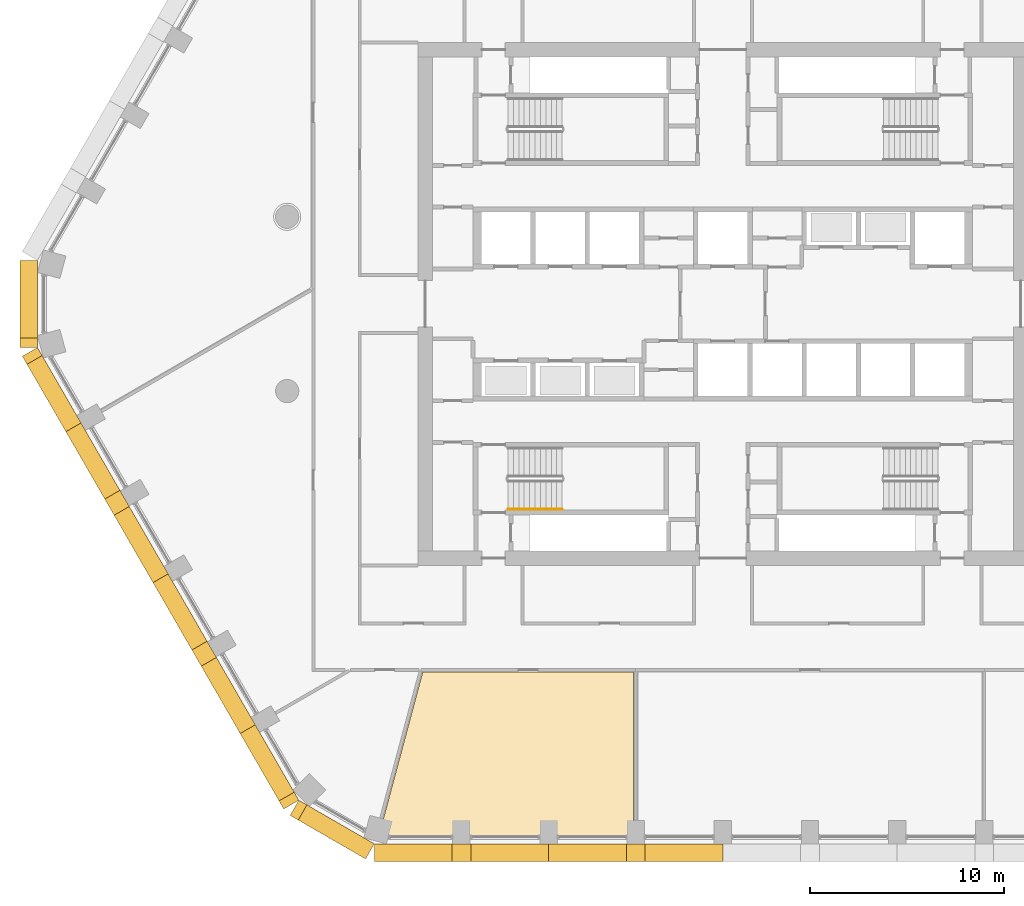
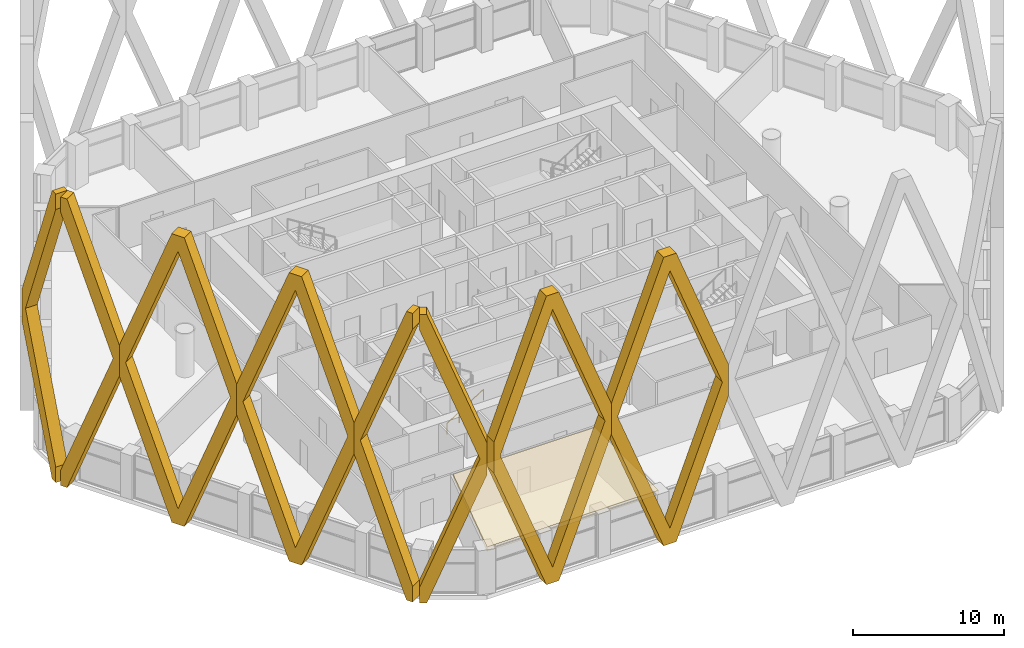
# One storey, part 15 of 24: 9 coverings, 1 railing.
"""IFC4 building model written with IfcOpenShell, lengths in metres."""

from ifc_helpers import new_model, si_unit, direction, frame, origin, origin_2d, place, context, subcontext, project, spatial, polyline, circle, outline, extrude, material, layer, layer_set, type_object, element, save


model = new_model("IFC4")

# Units and contexts
model_context = context("Model", 3, precision=1e-05, world=origin(), true_north=direction((0.0, 1.0)))
body_context = subcontext(model_context, "Body", "Model", "MODEL_VIEW")
ifc_project = project(units=[si_unit("LENGTHUNIT", "METRE"), si_unit("AREAUNIT", "SQUARE_METRE"), si_unit("VOLUMEUNIT", "CUBIC_METRE"), si_unit("PLANEANGLEUNIT", "RADIAN"), si_unit("MASSUNIT", "GRAM", prefix="KILO")], contexts=[model_context])

# Site, building, storey
site_placement = place(None, origin())
site = spatial("IfcSite", under=ifc_project, at=site_placement, CompositionType="ELEMENT")
building_placement = place(site_placement, origin())
building = spatial("IfcBuilding", under=site, at=building_placement, Name="Dhurran Vertical Campus", CompositionType="ELEMENT")
storey_placement = place(building_placement, frame((0.0, 0.0, 132.60009765625)))
storey = spatial("IfcBuildingStorey", under=building, at=storey_placement, Name="L32", CompositionType="ELEMENT", Elevation=132.60009765625)

# Coverings
ifc_material_1 = material(Name="Precast concrete C50/60", Category="concrete")
covering_type_1 = type_object("IfcCoveringType", Name="Folded precast fin lattice diamond", PredefinedType="USERDEFINED", material=ifc_material_1)
for number, where, z_axis, x_axis, name in (
    (1, (-18.0, -27.8828125, 0.0), (0.0, -1.0, 0.0), (1.0, 0.0, 0.0), "FN1 L32.001"),
    (2, (-9.0, -27.8828125, 0.0), (0.0, -1.0, 0.0), (1.0, 0.0, 0.0), "FN1 L32.002"),
):
    element("IfcCovering", number, at=place(storey_placement, frame(where, z_axis=z_axis, x_axis=x_axis)), inside=storey, type_object=covering_type_1, Name=name, ObjectType="FIN", PredefinedType="USERDEFINED", context=body_context, shape_type="SweptSolid", body=[
        extrude(outline(polyline([(9.0, 12.95361328125), (9.0, 10.4462890625), (4.982177734375, 0.0), (4.017822265625, 0.0), (0.0, 10.4462890625), (0.0, 12.95361328125), (4.017822265625, 23.39990234375), (4.982177734375, 23.39990234375), (9.0, 12.95361328125)]), holes=[polyline([(8.517822265625, 11.699951171875), (4.5, 22.146484375), (0.482177734375, 11.699951171875), (4.5, 1.253662109375), (8.517822265625, 11.699951171875)])]), origin(), (0.0, 0.0, 1.0), 0.89990234375),
    ])
covering_1_placement = place(storey_placement, frame((-35.397216796875, 2.25, 0.0), z_axis=(-1.0, 0.0, 0.0), x_axis=(0.0, -1.0, 0.0)))
element("IfcCovering", 3, at=covering_1_placement, inside=storey, type_object=covering_type_1, Name="FN1 L32.024", ObjectType="FIN", PredefinedType="USERDEFINED", context=body_context, shape_type="SweptSolid", body=[
    extrude(outline(polyline([(4.017822265625, 0.0), (0.0, 10.4462890625), (0.0, 12.95361328125), (4.017822265625, 23.39990234375), (4.5, 23.39990234375), (4.5, 22.146484375), (0.482177734375, 11.699951171875), (4.5, 1.253662109375), (4.5, 0.0), (4.017822265625, 0.0)])), origin(), (0.0, 0.0, 1.0), 0.89990234375),
])
covering_2_placement = place(storey_placement, frame((-35.397216796875, -2.25, 0.0), z_axis=(-0.866013897511, -0.50001992892, 0.0), x_axis=(0.50001992892, -0.866013897511, 0.0)))
element("IfcCovering", 4, at=covering_2_placement, inside=storey, type_object=covering_type_1, Name="FN1 L32.025", ObjectType="FIN", PredefinedType="USERDEFINED", context=body_context, shape_type="SweptSolid", body=[
    extrude(outline(polyline([(4.5, 10.4462890625), (0.482177734375, 0.0), (0.0, 0.0), (0.0, 1.253662109375), (4.017822265625, 11.699951171875), (0.0, 22.146484375), (0.0, 23.39990234375), (0.482177734375, 23.39990234375), (4.5, 12.95361328125), (4.5, 10.4462890625)])), origin(), (0.0, 0.0, 1.0), 0.89990234375),
])
for number, where, z_axis, x_axis, name in (
    (5, (-33.147216796875, -6.147216796875, 0.0), (-0.866013897511, -0.50001992892, 0.0), (0.50001992892, -0.866013897511, 0.0), "FN1 L32.026"),
    (6, (-28.647216796875, -13.94140625, 0.0), (-0.866013897511, -0.50001992892, 0.0), (0.50001992892, -0.866013897511, 0.0), "FN1 L32.027"),
):
    element("IfcCovering", number, at=place(storey_placement, frame(where, z_axis=z_axis, x_axis=x_axis)), inside=storey, type_object=covering_type_1, Name=name, ObjectType="FIN", PredefinedType="USERDEFINED", context=body_context, shape_type="SweptSolid", body=[
        extrude(outline(polyline([(9.0, 12.95361328125), (9.0, 10.4462890625), (4.982177734375, 0.0), (4.017822265625, 0.0), (0.0, 10.4462890625), (0.0, 12.95361328125), (4.017822265625, 23.39990234375), (4.982177734375, 23.39990234375), (9.0, 12.95361328125)]), holes=[polyline([(8.517822265625, 11.699951171875), (4.5, 22.146484375), (0.482177734375, 11.699951171875), (4.5, 1.253662109375), (8.517822265625, 11.699951171875)])]), origin(), (0.0, 0.0, 1.0), 0.89990234375),
    ])
covering_3_placement = place(storey_placement, frame((-24.147216796875, -21.735595703125, 0.0), z_axis=(-0.866013897511, -0.50001992892, 0.0), x_axis=(0.50001992892, -0.866013897511, 0.0)))
element("IfcCovering", 7, at=covering_3_placement, inside=storey, type_object=covering_type_1, Name="FN1 L32.028", ObjectType="FIN", PredefinedType="USERDEFINED", context=body_context, shape_type="SweptSolid", body=[
    extrude(outline(polyline([(4.017822265625, 0.0), (0.0, 10.4462890625), (0.0, 12.95361328125), (4.017822265625, 23.39990234375), (4.5, 23.39990234375), (4.5, 22.146484375), (0.482177734375, 11.699951171875), (4.5, 1.253662109375), (4.5, 0.0), (4.017822265625, 0.0)])), origin(), (0.0, 0.0, 1.0), 0.89990234375),
])
covering_4_placement = place(storey_placement, frame((-21.897216796875, -25.6328125, 0.0), z_axis=(-0.50001992892, -0.866013897511, 0.0), x_axis=(0.866013897511, -0.50001992892, 0.0)))
element("IfcCovering", 8, at=covering_4_placement, inside=storey, type_object=covering_type_1, Name="FN1 L32.029", ObjectType="FIN", PredefinedType="USERDEFINED", context=body_context, shape_type="SweptSolid", body=[
    extrude(outline(polyline([(4.5, 10.4462890625), (0.482177734375, 0.0), (0.0, 0.0), (0.0, 1.253662109375), (4.017822265625, 11.699951171875), (0.0, 22.146484375), (0.0, 23.39990234375), (0.482177734375, 23.39990234375), (4.5, 12.95361328125), (4.5, 10.4462890625)])), origin(), (0.0, 0.0, 1.0), 0.89990234375),
])

# Railing
ifc_material_2 = material(Name="Stainless steel handrail", Category="steel")
railing_type = type_object("IfcRailingType", Name="co-RL-HANDRAIL-900", PredefinedType="HANDRAIL", material=ifc_material_2)
railing_placement = place(storey_placement, frame((-11.10009765625, -10.60009765625, 0.17724609375)))
element("IfcRailing", 9, at=railing_placement, inside=storey, type_object=railing_type, Name="L32 ST3 stair handrail 1", PredefinedType="HANDRAIL", context=body_context, shape_type="SweptSolid", body=[
    extrude(circle(Radius=0.02392578125, at=origin_2d()), frame((0.0, 0.0, 0.8759765625), z_axis=(0.844908973607, 0.0, 0.534910110503), x_axis=(0.0, 1.0, 0.0)), (0.0, 0.0, 1.0), 3.31396484375),
    extrude(circle(Radius=0.02099609375, at=origin_2d()), origin(), (0.0, 0.0, 1.0), 0.851806640625),
    extrude(circle(Radius=0.02099609375, at=origin_2d()), frame((0.933349609375, 0.0, 0.5908203125)), (0.0, 0.0, 1.0), 0.851806640625),
    extrude(circle(Radius=0.02099609375, at=origin_2d()), frame((1.86669921875, 0.0, 1.181884765625)), (0.0, 0.0, 1.0), 0.851806640625),
    extrude(circle(Radius=0.02099609375, at=origin_2d()), frame((2.800048828125, 0.0, 1.772705078125)), (0.0, 0.0, 1.0), 0.851806640625),
])

# Covering
ifc_material_3 = material(Name="Mineral fibre ceiling tiles on suspended grid")
ifc_layer = layer(ifc_material_3, 0.35009765625)
ifc_layer_set = layer_set([ifc_layer], Name="Mineral fibre ceiling tiles on suspended grid")
covering_type_2 = type_object("IfcCoveringType", Name="fl-CE-350 suspended ceiling", PredefinedType="CEILING", material=ifc_layer_set)
covering_5_placement = place(storey_placement, frame((0.0, 0.0, 3.224853515625)))
element("IfcCovering", 10, at=covering_5_placement, inside=storey, type_object=covering_type_2, Name="Ceiling 32-17", PredefinedType="CEILING", context=body_context, shape_type="SweptSolid", body=[
    extrude(outline(polyline([(-4.6201171875, -27.462890625), (-17.763916015625, -27.462890625), (-15.5009765625, -19.02001953125), (-4.6201171875, -19.02001953125), (-4.6201171875, -27.462890625)])), origin(), (0.0, 0.0, 1.0), 0.35009765625),
])

save(model, "model.ifc")
